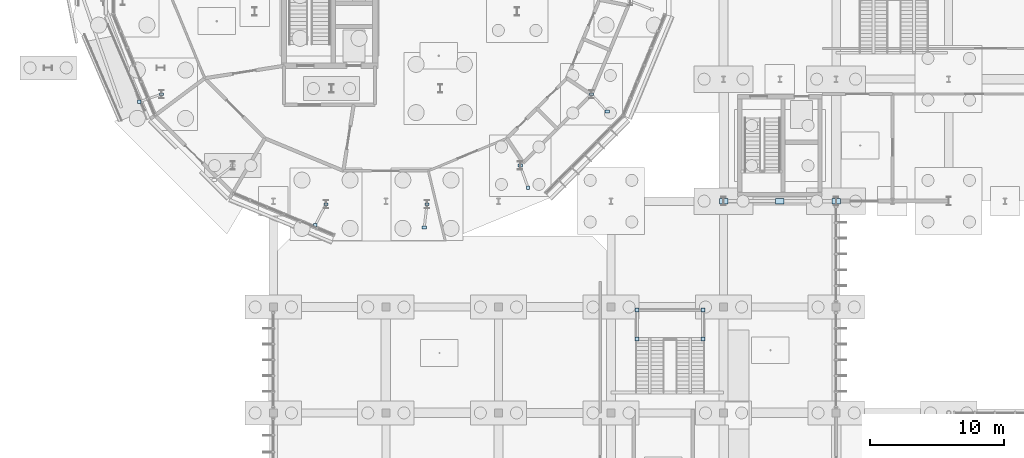
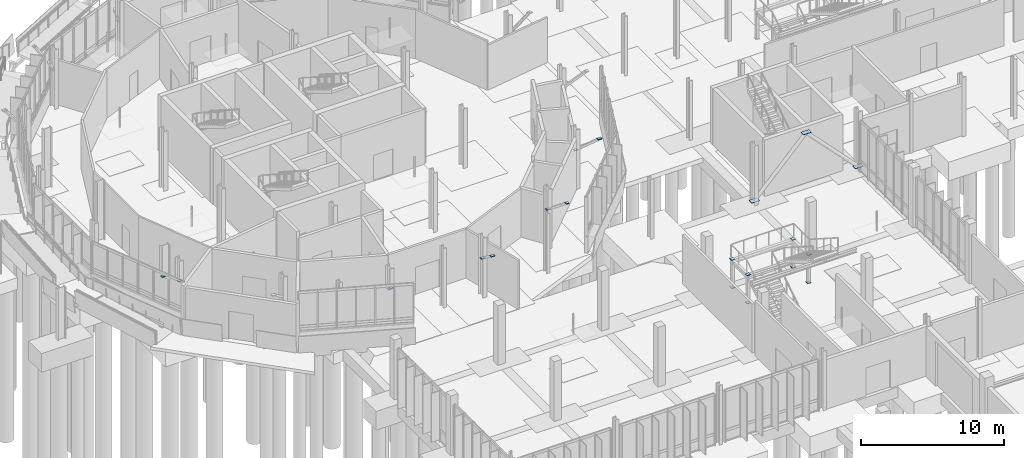
# One storey, part 74 of 119: 21 plates.
"""IFC4 building model written with IfcOpenShell, lengths in metres."""

import ifcopenshell
import ifcopenshell.guid

model = None  # the IFC model being written
_history = None  # IfcOwnerHistory: only IFC2X3 demands one
_inside = {}  # id of a spatial element -> (the spatial element, [elements in it])
_under = {}  # id of a project, library or spatial element -> (it, [spatial elements below it])
_declared = {}  # id of a project -> (the project, [libraries it declares])
_typed = {}  # id of a type object -> (the type object, [elements of that type])
_made_of = {}  # id of a material, layer set ... -> (it, [elements and type objects made of it])


def new_model(schema):
    """Start an empty IFC model of exactly this schema.

    Asked for "IFC4X3", IfcOpenShell would pick the latest addendum, in which some entities
    have other attributes; the version numbers below select the first issue.
    IFC2X3 requires an IfcOwnerHistory on every rooted entity: one is made here for all.
    """
    global model, _history
    if schema == "IFC4X3":
        model = ifcopenshell.file(schema_version=(4, 3, 0, 0))
    else:
        model = ifcopenshell.file(schema=schema)
    _inside.clear()
    _under.clear()
    _declared.clear()
    _typed.clear()
    _made_of.clear()
    _history = None
    if model.schema == "IFC2X3":
        org = make("IfcOrganization", Name="unknown")
        user = make(
            "IfcPersonAndOrganization",
            ThePerson=make("IfcPerson", FamilyName="unknown"),
            TheOrganization=org,
        )
        app = make(
            "IfcApplication",
            ApplicationDeveloper=org,
            Version="unknown",
            ApplicationFullName="unknown",
            ApplicationIdentifier="unknown",
        )
        _history = make(
            "IfcOwnerHistory",
            OwningUser=user,
            OwningApplication=app,
            ChangeAction="ADDED",
            CreationDate=0,
        )
    return model


def make(cls, **values):
    """One entity of the class cls with the attributes given. An attribute that is None is left unset."""
    return model.create_entity(
        cls, **{name: value for name, value in values.items() if value is not None}
    )


def rooted(cls, **values):
    """An entity with a GlobalId (a new one), such as an element, a storey or a relation."""
    return make(cls, GlobalId=ifcopenshell.guid.new(), OwnerHistory=_history, **values)


def si_unit(unit_type, name, prefix=None):
    """IfcSIUnit, for example si_unit("LENGTHUNIT", "METRE", prefix="MILLI")."""
    return make("IfcSIUnit", UnitType=unit_type, Prefix=prefix, Name=name)


def derived_unit(unit_type, elements):
    """IfcDerivedUnit: a product of units, each with its exponent."""
    return make(
        "IfcDerivedUnit",
        Elements=[
            make("IfcDerivedUnitElement", Unit=unit, Exponent=power)
            for unit, power in elements
        ],
        UnitType=unit_type,
    )


def assignment(units):
    """IfcUnitAssignment: the units of a project."""
    return None if units is None else make("IfcUnitAssignment", Units=units)


def point(xyz):
    """IfcCartesianPoint."""
    return None if xyz is None else make("IfcCartesianPoint", Coordinates=xyz)


def direction(xyz):
    """IfcDirection."""
    return None if xyz is None else make("IfcDirection", DirectionRatios=xyz)


def frame(location, z_axis=None, x_axis=None):
    """IfcAxis2Placement3D, a coordinate frame: its origin and axes. An axis left out is left unset."""
    return make(
        "IfcAxis2Placement3D",
        Location=point(location),
        Axis=direction(z_axis),
        RefDirection=direction(x_axis),
    )


def frame_2d(location, x_axis=None):
    """IfcAxis2Placement2D, a coordinate frame in the plane: its origin and x axis."""
    return make(
        "IfcAxis2Placement2D", Location=point(location), RefDirection=direction(x_axis)
    )


def origin():
    """The frame at (0, 0, 0) with its axes left unset."""
    return frame((0.0, 0.0, 0.0))


def origin_2d():
    """The frame at (0, 0) in the plane with its x axis left unset."""
    return frame_2d((0.0, 0.0))


def place(relative_to, where):
    """IfcLocalPlacement: puts the frame where relative to a parent placement (None: the world)."""
    return make(
        "IfcLocalPlacement", PlacementRelTo=relative_to, RelativePlacement=where
    )


def context(
    kind, dimensions, precision=None, world=None, true_north=None, identifier=None
):
    """IfcGeometricRepresentationContext, for example the 3D "Model" context."""
    return make(
        "IfcGeometricRepresentationContext",
        ContextIdentifier=identifier,
        ContextType=kind,
        CoordinateSpaceDimension=dimensions,
        Precision=precision,
        WorldCoordinateSystem=world,
        TrueNorth=true_north,
    )


def subcontext(parent, identifier, kind, view, scale=None):
    """IfcGeometricRepresentationSubContext, for example "Body" below "Model"."""
    return make(
        "IfcGeometricRepresentationSubContext",
        ContextIdentifier=identifier,
        ContextType=kind,
        ParentContext=parent,
        TargetScale=scale,
        TargetView=view,
    )


def project(units=None, contexts=None):
    """IfcProject with its units and contexts."""
    return rooted(
        "IfcProject",
        Name="project",
        RepresentationContexts=contexts,
        UnitsInContext=assignment(units),
    )


def spatial(cls, under=None, at=None, **own):
    """A site, building, storey or space (cls), placed at a placement, below another one or the project."""
    s = rooted(cls, ObjectPlacement=at, **own)
    if under is not None:
        _under.setdefault(under.id(), (under, []))[1].append(s)
    return s


def profile(cls, at=None, kind="AREA", **sizes):
    """A parametric profile (cls). Its sizes go by their IFC names, for example OverallWidth=200.0."""
    return make(cls, ProfileType=kind, Position=at, **sizes)


def rectangle(**sizes):
    """IfcRectangleProfileDef."""
    return profile("IfcRectangleProfileDef", **sizes)


def extrude(swept, where, along, depth):
    """IfcExtrudedAreaSolid: the profile swept, set in the frame where, extruded along a direction by depth."""
    return make(
        "IfcExtrudedAreaSolid",
        SweptArea=swept,
        Position=where,
        ExtrudedDirection=direction(along),
        Depth=depth,
    )


def shape(context_of_items, identifier, shape_type, items):
    """IfcShapeRepresentation: the items that make up one representation, for example the "Body"."""
    return make(
        "IfcShapeRepresentation",
        ContextOfItems=context_of_items,
        RepresentationIdentifier=identifier,
        RepresentationType=shape_type,
        Items=items,
    )


def material(Name=None, Category=None):
    """IfcMaterial."""
    return make("IfcMaterial", Name=Name, Category=Category)


def layer(
    of_material, thickness, ventilated=None, Name=None, Category=None, Priority=None
):
    """IfcMaterialLayer: one layer of a wall or slab, of a material (None: an air gap)."""
    return make(
        "IfcMaterialLayer",
        Material=of_material,
        LayerThickness=thickness,
        IsVentilated=ventilated,
        Name=Name,
        Category=Category,
        Priority=Priority,
    )


def layer_set(layers, Name=None):
    """IfcMaterialLayerSet."""
    return make("IfcMaterialLayerSet", MaterialLayers=layers, LayerSetName=Name)


def made_of(thing, what):
    """Note that an element or type object is made of a material, layer set ...; save() writes the relation."""
    if what is not None:
        _made_of.setdefault(what.id(), (what, []))[1].append(thing)
    return thing


def type_object(cls, material=None, **own):
    """A type object (cls), such as IfcWallType, which elements share."""
    return made_of(rooted(cls, **own), material)


def element(
    cls,
    number,
    at=None,
    inside=None,
    cuts=None,
    type_object=None,
    material=None,
    context=None,
    identifier="Body",
    shape_type=None,
    held_by="IfcProductDefinitionShape",
    body=None,
    shapes=None,
    **own,
):
    """One element of the class cls, such as IfcWall. Its Tag is "e" and its number.

    at: its placement. inside: the storey or other place that contains it. cuts: it is an
    opening in that element (IfcRelVoidsElement). A single representation is given by context,
    identifier, shape_type and body (its items); several are given by shapes. held_by: the class
    of the entity that holds the representations. save() writes the other relations.
    """
    e = rooted(cls, Tag="e%d" % number, ObjectPlacement=at, **own)
    if body is not None:
        shapes = [shape(context, identifier, shape_type, body)]
    if shapes is not None:
        e.Representation = make(held_by, Representations=shapes)
    if inside is not None:
        _inside.setdefault(inside.id(), (inside, []))[1].append(e)
    if cuts is not None:
        rooted(
            "IfcRelVoidsElement", RelatingBuildingElement=cuts, RelatedOpeningElement=e
        )
    if type_object is not None:
        _typed.setdefault(type_object.id(), (type_object, []))[1].append(e)
    return made_of(e, material)


def aggregate(whole, parts):
    """IfcRelAggregates: a whole, such as a stair, and the parts it consists of."""
    return rooted("IfcRelAggregates", RelatingObject=whole, RelatedObjects=parts)


def save(model, path):
    """Write the relations noted so far, then the file.

    IfcRelAggregates (storeys below a building ...), IfcRelContainedInSpatialStructure (elements
    in a storey), IfcRelDefinesByType, IfcRelAssociatesMaterial and IfcRelDeclares: one each for
    every whole, place, type object, material and project.
    """
    for whole, parts in _under.values():
        aggregate(whole, parts)
    for where, things in _inside.values():
        rooted(
            "IfcRelContainedInSpatialStructure",
            RelatedElements=things,
            RelatingStructure=where,
        )
    for kind, things in _typed.values():
        rooted("IfcRelDefinesByType", RelatedObjects=things, RelatingType=kind)
    for what, things in _made_of.values():
        rooted("IfcRelAssociatesMaterial", RelatedObjects=things, RelatingMaterial=what)
    for by, libraries in _declared.values():
        rooted("IfcRelDeclares", RelatingContext=by, RelatedDefinitions=libraries)
    model.write(path)


model = new_model("IFC4")

# Units and contexts
model_context = context("Model", 3, precision=1e-05, world=origin(), true_north=direction((0.0, 1.0)))
body_context = subcontext(model_context, "Body", "Model", "MODEL_VIEW")
ifc_project = project(units=[si_unit("LENGTHUNIT", "METRE"), si_unit("AREAUNIT", "SQUARE_METRE"), si_unit("VOLUMEUNIT", "CUBIC_METRE"), si_unit("PLANEANGLEUNIT", "RADIAN"), si_unit("MASSUNIT", "GRAM", prefix="KILO"), derived_unit("THERMALTRANSMITTANCEUNIT", [(si_unit("MASSUNIT", "GRAM", prefix="KILO"), 1), (si_unit("TIMEUNIT", "SECOND"), -3), (si_unit("THERMODYNAMICTEMPERATUREUNIT", "KELVIN"), -1)])], contexts=[model_context])

# Site, building, storey
site_placement = place(None, origin())
site = spatial("IfcSite", under=ifc_project, at=site_placement, CompositionType="ELEMENT")
building_placement = place(site_placement, origin())
building = spatial("IfcBuilding", under=site, at=building_placement, Name="Makaiwela Harbour Ferry Terminal", CompositionType="ELEMENT")
storey_placement = place(building_placement, origin())
storey = spatial("IfcBuildingStorey", under=building, at=storey_placement, Name="L00", CompositionType="ELEMENT", Elevation=0.0)

# Plates
ifc_material = material(Name="Steel ASTM A572 Grade 50", Category="steel")
ifc_layer_1 = layer(ifc_material, 0.02001953125)
ifc_layer_set_1 = layer_set([ifc_layer_1], Name="Steel ASTM A572 Grade 50")
plate_type_1 = type_object("IfcPlateType", Name="STR-PLT-CAP1", PredefinedType="SHEET", material=ifc_layer_set_1)
for number, where, z_axis, x_axis, name in (
    (1, (56.5400390625, 39.1201171875, -0.01708984375), (0.0, 0.0, 1.0), (1.0, 0.0, 0.0), "Post Sealing Cap Plate PC-0025"),
    (2, (56.5400390625, 39.1201171875, 2.39697265625), (0.0, 0.0, 1.0), (1.0, 0.0, 0.0), "Post Sealing Cap Plate PC-0026"),
    (3, (61.4599609375, 39.1201171875, -0.01708984375), (0.0, 0.0, 1.0), (1.0, 0.0, 0.0), "Post Sealing Cap Plate PC-0027"),
    (4, (61.4599609375, 39.1201171875, 2.39697265625), (0.0, 0.0, 1.0), (1.0, 0.0, 0.0), "Post Sealing Cap Plate PC-0028"),
    (5, (56.5400390625, 41.280029296875, -0.01708984375), (0.0, 0.0, 1.0), (1.0, 0.0, 0.0), "Post Sealing Cap Plate PC-0029"),
    (6, (56.5400390625, 41.280029296875, 2.39697265625), (0.0, 0.0, 1.0), (1.0, 0.0, 0.0), "Post Sealing Cap Plate PC-0030"),
    (7, (61.4599609375, 41.280029296875, -0.01708984375), (0.0, 0.0, 1.0), (1.0, 0.0, 0.0), "Post Sealing Cap Plate PC-0031"),
    (8, (61.4599609375, 41.280029296875, 2.39697265625), (0.0, 0.0, 1.0), (1.0, 0.0, 0.0), "Post Sealing Cap Plate PC-0032"),
):
    element("IfcPlate", number, at=place(storey_placement, frame(where, z_axis=z_axis, x_axis=x_axis)), inside=storey, type_object=plate_type_1, Name=name, PredefinedType="SHEET", context=body_context, shape_type="SweptSolid", body=[
        extrude(rectangle(XDim=0.280029296875, YDim=0.280029296875, at=origin_2d()), origin(), (0.0, 0.0, 1.0), 0.02001953125),
    ])
ifc_layer_2 = layer(ifc_material, 0.02001953125)
ifc_layer_set_2 = layer_set([ifc_layer_2], Name="Steel ASTM A572 Grade 50")
plate_type_2 = type_object("IfcPlateType", Name="STR-PLT-CAP3", PredefinedType="SHEET", material=ifc_layer_set_2)
for number, where, z_axis, x_axis, name in (
    (9, (21.052490234375, 57.37744140625, 3.18994140625), (0.0, 0.0, 1.0), (1.0, 0.0, 0.0), "Welded End Cap EC-0022"),
    (10, (33.334716796875, 49.1708984375, 3.18994140625), (0.0, 0.0, 1.0), (1.0, 0.0, 0.0), "Welded End Cap EC-0026"),
    (11, (40.865234375, 49.1708984375, 3.18994140625), (0.0, 0.0, 1.0), (1.0, 0.0, 0.0), "Welded End Cap EC-0028"),
    (12, (40.665771484375, 47.43212890625, 4.501953125), (0.0, 0.0, 1.0), (1.0, 0.0, 0.0), "Welded End Cap EC-0029"),
    (13, (47.822509765625, 52.052490234375, 3.18994140625), (0.0, 0.0, 1.0), (1.0, 0.0, 0.0), "Welded End Cap EC-0030"),
    (14, (53.1474609375, 57.37744140625, 3.18994140625), (0.0, 0.0, 1.0), (1.0, 0.0, 0.0), "Welded End Cap EC-0032"),
    (15, (54.318603515625, 56.0771484375, 4.501953125), (0.0, 0.0, 1.0), (1.0, 0.0, 0.0), "Welded End Cap EC-0033"),
):
    element("IfcPlate", number, at=place(storey_placement, frame(where, z_axis=z_axis, x_axis=x_axis)), inside=storey, type_object=plate_type_2, Name=name, PredefinedType="SHEET", context=body_context, shape_type="SweptSolid", body=[
        extrude(rectangle(XDim=0.320068359375, YDim=0.219970703125, at=origin_2d()), origin(), (0.0, 0.0, 1.0), 0.02001953125),
    ])
ifc_layer_3 = layer(ifc_material, 0.01806640625)
ifc_layer_set_3 = layer_set([ifc_layer_3], Name="Steel ASTM A572 Grade 50")
plate_type_3 = type_object("IfcPlateType", Name="STR-PLT-CAP4", PredefinedType="SHEET", material=ifc_layer_set_3)
for number, where, z_axis, x_axis, name in (
    (16, (19.3935546875, 56.820556640625, 4.5029296875), (0.0, 0.0, 1.0), (1.0, 0.0, 0.0), "Welded End Cap EC-0023"),
    (17, (32.531005859375, 47.6162109375, 4.5029296875), (0.0, 0.0, 1.0), (1.0, 0.0, 0.0), "Welded End Cap EC-0027"),
    (18, (48.414306640625, 50.40576171875, 4.5029296875), (0.0, 0.0, 1.0), (1.0, 0.0, 0.0), "Welded End Cap EC-0031"),
):
    element("IfcPlate", number, at=place(storey_placement, frame(where, z_axis=z_axis, x_axis=x_axis)), inside=storey, type_object=plate_type_3, Name=name, PredefinedType="SHEET", context=body_context, shape_type="SweptSolid", body=[
        extrude(rectangle(XDim=0.239990234375, YDim=0.239990234375, at=origin_2d()), origin(), (0.0, 0.0, 1.0), 0.01806640625),
    ])
ifc_layer_4 = layer(ifc_material, 0.028076171875)
ifc_layer_set_4 = layer_set([ifc_layer_4], Name="Steel ASTM A572 Grade 50")
plate_type_4 = type_object("IfcPlateType", Name="STR-PLT-GUS3", PredefinedType="USERDEFINED", material=ifc_layer_set_4)
for number, where, z_axis, x_axis, name in (
    (19, (67.199951171875, 49.39990234375, 4.57421875), (0.0, 0.0, 1.0), (1.0, 0.0, 0.0), "Truss Gusset Plate GP-136"),
    (20, (63.0, 49.39990234375, 0.2060546875), (0.0, 0.0, 1.0), (1.0, 0.0, 0.0), "Truss Gusset Plate GP-137"),
    (21, (71.39990234375, 49.39990234375, 0.2060546875), (0.0, 0.0, 1.0), (1.0, 0.0, 0.0), "Truss Gusset Plate GP-138"),
):
    element("IfcPlate", number, at=place(storey_placement, frame(where, z_axis=z_axis, x_axis=x_axis)), inside=storey, type_object=plate_type_4, Name=name, ObjectType="GUSSET PLATE", PredefinedType="USERDEFINED", context=body_context, shape_type="SweptSolid", body=[
        extrude(rectangle(XDim=0.639892578125, YDim=0.39990234375, at=origin_2d()), origin(), (0.0, 0.0, 1.0), 0.028076171875),
    ])

save(model, "model.ifc")
